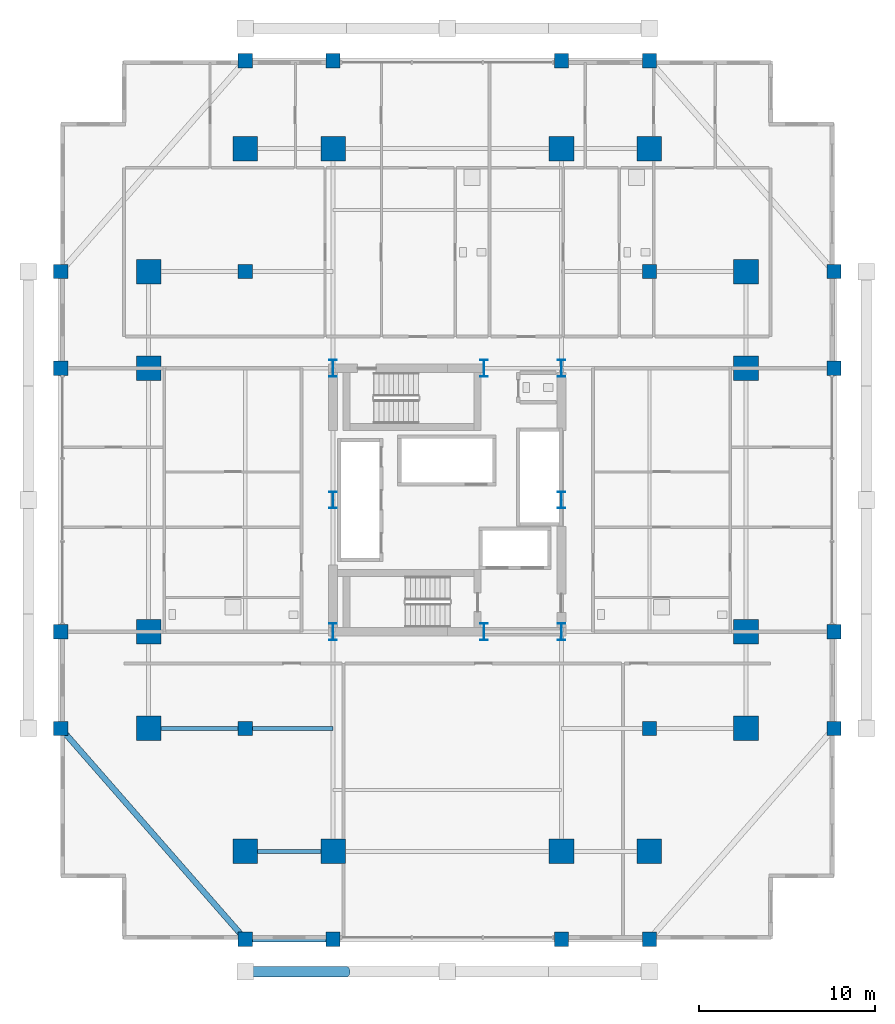
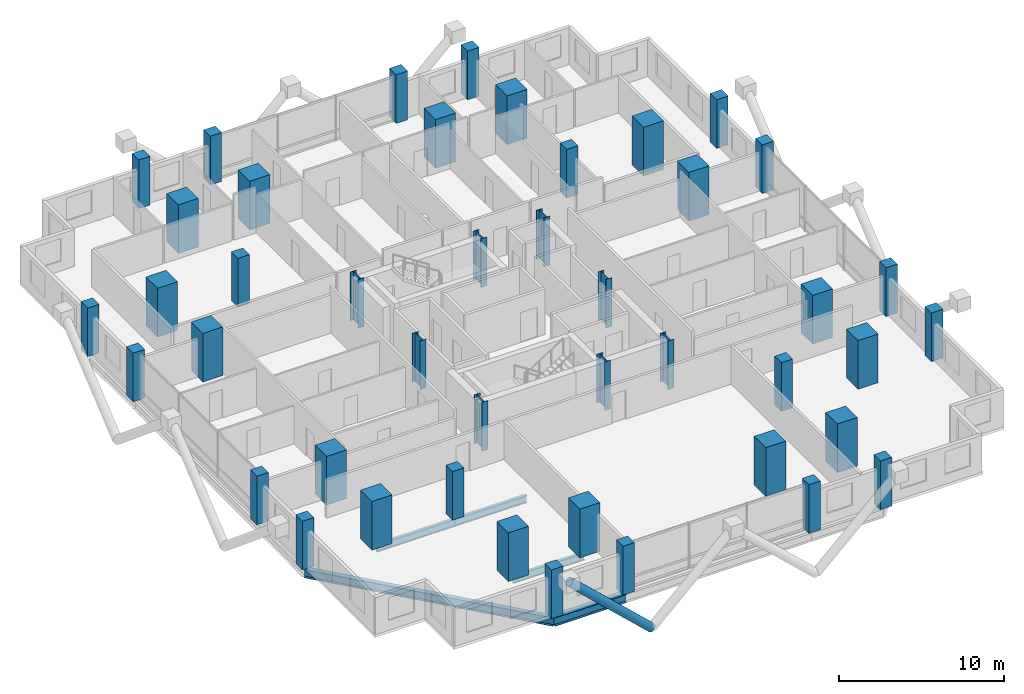
# One storey, part 1 of 23: 44 columns, 5 beams, 1 member.
"""IFC4 building model written with IfcOpenShell, lengths in metres."""

from ifc_helpers import new_model, si_unit, direction, frame, origin, origin_2d, place, context, subcontext, project, spatial, rectangle, hollow_circle, i_section, extrude, material, material_profile, profile_set, type_object, element, save


model = new_model("IFC4")

# Units and contexts
model_context = context("Model", 3, precision=1e-05, world=origin(), true_north=direction((0.0, 1.0)))
body_context = subcontext(model_context, "Body", "Model", "MODEL_VIEW")
ifc_project = project(units=[si_unit("LENGTHUNIT", "METRE"), si_unit("AREAUNIT", "SQUARE_METRE"), si_unit("VOLUMEUNIT", "CUBIC_METRE"), si_unit("PLANEANGLEUNIT", "RADIAN"), si_unit("MASSUNIT", "GRAM", prefix="KILO")], contexts=[model_context])

# Site, building, storey
site_placement = place(None, origin())
site = spatial("IfcSite", under=ifc_project, at=site_placement, CompositionType="ELEMENT")
building_placement = place(site_placement, origin())
building = spatial("IfcBuilding", under=site, at=building_placement, Name="Barlavira Tower and Art Museum", CompositionType="ELEMENT")
storey_placement = place(building_placement, frame((0.0, 0.0, 57.60009765625)))
storey = spatial("IfcBuildingStorey", under=building, at=storey_placement, Name="L13", CompositionType="ELEMENT", Elevation=57.60009765625)

# Columns
ifc_material_1 = material(Name="Steel S355", Category="steel")
ifc_material_profile_1 = material_profile(ifc_material_1, i_section(OverallWidth=0.419921875, OverallDepth=0.9599609375, WebThickness=0.02197265625, FlangeThickness=0.033935546875, at=origin_2d()), Name="W920x387.0")
ifc_profile_set_1 = profile_set([ifc_material_profile_1], Name="Steel S355")
column_type_1 = type_object("IfcColumnType", Name="Core Composite Column W920x387 Steel S355", PredefinedType="COLUMN", material=ifc_profile_set_1)
for number, where, z_axis, x_axis, name in (
    (1, (-6.5, -7.5, 0.0), (0.0, 0.0, 1.0), (1.0, 0.0, 0.0), "L13 Column CC-L13-C1"),
    (2, (2.080078125, -7.5, 0.0), (0.0, 0.0, 1.0), (1.0, 0.0, 0.0), "L13 Column CC-L13-C2"),
    (3, (6.5, -7.5, 0.0), (0.0, 0.0, 1.0), (1.0, 0.0, 0.0), "L13 Column CC-L13-C3"),
    (4, (-6.5, 0.0, 0.0), (0.0, 0.0, 1.0), (1.0, 0.0, 0.0), "L13 Column CC-L13-C4"),
    (5, (6.5, 0.0, 0.0), (0.0, 0.0, 1.0), (1.0, 0.0, 0.0), "L13 Column CC-L13-C5"),
    (6, (-6.5, 7.5, 0.0), (0.0, 0.0, 1.0), (1.0, 0.0, 0.0), "L13 Column CC-L13-C6"),
    (7, (2.080078125, 7.5, 0.0), (0.0, 0.0, 1.0), (1.0, 0.0, 0.0), "L13 Column CC-L13-C7"),
    (8, (6.5, 7.5, 0.0), (0.0, 0.0, 1.0), (1.0, 0.0, 0.0), "L13 Column CC-L13-C8"),
):
    element("IfcColumn", number, at=place(storey_placement, frame(where, z_axis=z_axis, x_axis=x_axis)), inside=storey, type_object=column_type_1, Name=name, PredefinedType="COLUMN", context=body_context, shape_type="SweptSolid", body=[
        extrude(i_section(OverallWidth=0.419921875, OverallDepth=0.9599609375, WebThickness=0.02197265625, FlangeThickness=0.033935546875, at=origin_2d()), origin(), (0.0, 0.0, 1.0), 3.599853515625),
    ])
ifc_material_2 = material(Name="Concrete C60", Category="concrete")
ifc_material_profile_2 = material_profile(ifc_material_2, rectangle(XDim=1.39990234375, YDim=1.39990234375, at=origin_2d()), Name="RC-MCOL 1400x1400")
ifc_profile_set_2 = profile_set([ifc_material_profile_2], Name="Concrete C60")
column_type_2 = type_object("IfcColumnType", Name="Perimeter Mega Column 1400x1400 Concrete C60", PredefinedType="USERDEFINED", material=ifc_profile_set_2)
for number, where, z_axis, x_axis, name in (
    (9, (-11.5, -20.0, 0.0), (0.0, 0.0, 1.0), (1.0, 0.0, 0.0), "L13 Column MC-L13-M01"),
    (10, (-6.5, -20.0, 0.0), (0.0, 0.0, 1.0), (1.0, 0.0, 0.0), "L13 Column MC-L13-M02"),
    (11, (6.5, -20.0, 0.0), (0.0, 0.0, 1.0), (1.0, 0.0, 0.0), "L13 Column MC-L13-M03"),
    (12, (11.5, -20.0, 0.0), (0.0, 0.0, 1.0), (1.0, 0.0, 0.0), "L13 Column MC-L13-M04"),
    (13, (17.0, -13.0, 0.0), (0.0, 0.0, 1.0), (1.0, 0.0, 0.0), "L13 Column MC-L13-M05"),
    (14, (17.0, -7.5, 0.0), (0.0, 0.0, 1.0), (1.0, 0.0, 0.0), "L13 Column MC-L13-M06"),
    (15, (17.0, 7.5, 0.0), (0.0, 0.0, 1.0), (1.0, 0.0, 0.0), "L13 Column MC-L13-M07"),
    (16, (17.0, 13.0, 0.0), (0.0, 0.0, 1.0), (1.0, 0.0, 0.0), "L13 Column MC-L13-M08"),
    (17, (11.5, 20.0, 0.0), (0.0, 0.0, 1.0), (1.0, 0.0, 0.0), "L13 Column MC-L13-M09"),
    (18, (6.5, 20.0, 0.0), (0.0, 0.0, 1.0), (1.0, 0.0, 0.0), "L13 Column MC-L13-M10"),
    (19, (-6.5, 20.0, 0.0), (0.0, 0.0, 1.0), (1.0, 0.0, 0.0), "L13 Column MC-L13-M11"),
    (20, (-11.5, 20.0, 0.0), (0.0, 0.0, 1.0), (1.0, 0.0, 0.0), "L13 Column MC-L13-M12"),
    (21, (-17.0, 13.0, 0.0), (0.0, 0.0, 1.0), (1.0, 0.0, 0.0), "L13 Column MC-L13-M13"),
    (22, (-17.0, 7.5, 0.0), (0.0, 0.0, 1.0), (1.0, 0.0, 0.0), "L13 Column MC-L13-M14"),
    (23, (-17.0, -7.5, 0.0), (0.0, 0.0, 1.0), (1.0, 0.0, 0.0), "L13 Column MC-L13-M15"),
    (24, (-17.0, -13.0, 0.0), (0.0, 0.0, 1.0), (1.0, 0.0, 0.0), "L13 Column MC-L13-M16"),
):
    element("IfcColumn", number, at=place(storey_placement, frame(where, z_axis=z_axis, x_axis=x_axis)), inside=storey, type_object=column_type_2, Name=name, ObjectType="MEGA COLUMN", PredefinedType="USERDEFINED", context=body_context, shape_type="SweptSolid", body=[
        extrude(rectangle(XDim=1.39990234375, YDim=1.39990234375, at=origin_2d()), origin(), (0.0, 0.0, 1.0), 3.599853515625),
    ])
ifc_material_3 = material(Name="Concrete C50", Category="concrete")
ifc_material_profile_3 = material_profile(ifc_material_3, rectangle(XDim=0.800048828125, YDim=0.800048828125, at=origin_2d()), Name="RC-COL 800x800")
ifc_profile_set_3 = profile_set([ifc_material_profile_3], Name="Concrete C50")
column_type_3 = type_object("IfcColumnType", Name="Podium Frame Column 800x800 Concrete C50", PredefinedType="COLUMN", material=ifc_profile_set_3)
for number, where, z_axis, x_axis, name in (
    (25, (-11.5, -13.0, 0.0), (0.0, 0.0, 1.0), (1.0, 0.0, 0.0), "L13 Column CI-L13-I1"),
    (26, (11.5, -13.0, 0.0), (0.0, 0.0, 1.0), (1.0, 0.0, 0.0), "L13 Column CI-L13-I2"),
    (27, (-11.5, 13.0, 0.0), (0.0, 0.0, 1.0), (1.0, 0.0, 0.0), "L13 Column CI-L13-I3"),
    (28, (11.5, 13.0, 0.0), (0.0, 0.0, 1.0), (1.0, 0.0, 0.0), "L13 Column CI-L13-I4"),
    (29, (-11.5, -25.0, 0.0), (0.0, 0.0, 1.0), (1.0, 0.0, 0.0), "L13 Column CZ1-L13-N01"),
    (30, (-6.5, -25.0, 0.0), (0.0, 0.0, 1.0), (1.0, 0.0, 0.0), "L13 Column CZ1-L13-N02"),
    (31, (6.5, -25.0, 0.0), (0.0, 0.0, 1.0), (1.0, 0.0, 0.0), "L13 Column CZ1-L13-N02B"),
    (32, (11.5, -25.0, 0.0), (0.0, 0.0, 1.0), (1.0, 0.0, 0.0), "L13 Column CZ1-L13-N03"),
    (33, (-22.0, -13.0, 0.0), (0.0, 0.0, 1.0), (1.0, 0.0, 0.0), "L13 Column CZ1-L13-N04"),
    (34, (-22.0, -7.5, 0.0), (0.0, 0.0, 1.0), (1.0, 0.0, 0.0), "L13 Column CZ1-L13-N05"),
    (35, (-22.0, 7.5, 0.0), (0.0, 0.0, 1.0), (1.0, 0.0, 0.0), "L13 Column CZ1-L13-N05B"),
    (36, (-22.0, 13.0, 0.0), (0.0, 0.0, 1.0), (1.0, 0.0, 0.0), "L13 Column CZ1-L13-N06"),
    (37, (-11.5, 25.0, 0.0), (0.0, 0.0, 1.0), (1.0, 0.0, 0.0), "L13 Column CZ1-L13-N07"),
    (38, (-6.5, 25.0, 0.0), (0.0, 0.0, 1.0), (1.0, 0.0, 0.0), "L13 Column CZ1-L13-N08"),
    (39, (6.5, 25.0, 0.0), (0.0, 0.0, 1.0), (1.0, 0.0, 0.0), "L13 Column CZ1-L13-N08B"),
    (40, (11.5, 25.0, 0.0), (0.0, 0.0, 1.0), (1.0, 0.0, 0.0), "L13 Column CZ1-L13-N09"),
    (41, (22.0, -13.0, 0.0), (0.0, 0.0, 1.0), (1.0, 0.0, 0.0), "L13 Column CZ1-L13-N10"),
    (42, (22.0, -7.5, 0.0), (0.0, 0.0, 1.0), (1.0, 0.0, 0.0), "L13 Column CZ1-L13-N11"),
    (43, (22.0, 7.5, 0.0), (0.0, 0.0, 1.0), (1.0, 0.0, 0.0), "L13 Column CZ1-L13-N11B"),
    (44, (22.0, 13.0, 0.0), (0.0, 0.0, 1.0), (1.0, 0.0, 0.0), "L13 Column CZ1-L13-N12"),
):
    element("IfcColumn", number, at=place(storey_placement, frame(where, z_axis=z_axis, x_axis=x_axis)), inside=storey, type_object=column_type_3, Name=name, PredefinedType="COLUMN", context=body_context, shape_type="SweptSolid", body=[
        extrude(rectangle(XDim=0.800048828125, YDim=0.800048828125, at=origin_2d()), origin(), (0.0, 0.0, 1.0), 3.599853515625),
    ])

# Member
ifc_material_profile_4 = material_profile(ifc_material_1, hollow_circle(Radius=0.304931640625, WallThickness=0.028076171875, at=origin_2d()), Name="CHS 610.0x28.0")
ifc_profile_set_4 = profile_set([ifc_material_profile_4], Name="Steel S355")
member_type = type_object("IfcMemberType", Name="Pale-Metal Exoskeleton Diagrid Tube CHS 610x28 Steel S355", PredefinedType="BRACE", material=ifc_profile_set_4)
member_placement = place(storey_placement, frame((-5.75, -26.85009765625, -1.920166015625), z_axis=(-0.728934650808, 0.0, 0.684583285548), x_axis=(0.0, -1.0, 0.0)))
element("IfcMember", 45, at=member_placement, inside=storey, type_object=member_type, Name="L13 Exoskeleton Diagrid Tube S", PredefinedType="BRACE", context=body_context, shape_type="SweptSolid", body=[
    extrude(hollow_circle(Radius=0.304931640625, WallThickness=0.028076171875, at=origin_2d()), origin(), (0.0, 0.0, 1.0), 7.88818359375),
])

# Beams
ifc_material_profile_5 = material_profile(ifc_material_1, i_section(OverallWidth=0.327880859375, OverallDepth=0.62890625, WebThickness=0.013916015625, FlangeThickness=0.021484375, at=origin_2d()), Name="W610x174.0")
ifc_profile_set_5 = profile_set([ifc_material_profile_5], Name="Steel S355")
beam_type_1 = type_object("IfcBeamType", Name="Perimeter Spandrel Edge Beam W610x174 Steel S355", PredefinedType="SPANDREL", material=ifc_profile_set_5)
beam_1_placement = place(storey_placement, frame((-11.5, -25.0, -0.53466796875), z_axis=(1.0, 0.0, 0.0), x_axis=(0.0, 1.0, 0.0)))
element("IfcBeam", 46, at=beam_1_placement, inside=storey, type_object=beam_type_1, Name="L13 Spandrel 1", PredefinedType="SPANDREL", context=body_context, shape_type="SweptSolid", body=[
    extrude(i_section(OverallWidth=0.327880859375, OverallDepth=0.62890625, WebThickness=0.013916015625, FlangeThickness=0.021484375, at=origin_2d()), origin(), (0.0, 0.0, 1.0), 5.0),
])
beam_2_placement = place(storey_placement, frame((-22.0, -13.0, -0.53466796875), z_axis=(0.658504607869, -0.752576694707, 0.0), x_axis=(0.752576694707, 0.658504607869, 0.0)))
element("IfcBeam", 47, at=beam_2_placement, inside=storey, type_object=beam_type_1, Name="L13 Spandrel 16", PredefinedType="SPANDREL", context=body_context, shape_type="SweptSolid", body=[
    extrude(i_section(OverallWidth=0.327880859375, OverallDepth=0.62890625, WebThickness=0.013916015625, FlangeThickness=0.021484375, at=origin_2d()), origin(), (0.0, 0.0, 1.0), 15.9453125),
])
ifc_material_profile_6 = material_profile(ifc_material_1, i_section(OverallWidth=0.214111328125, OverallDepth=0.549072265625, WebThickness=0.0146484375, FlangeThickness=0.023681640625, at=origin_2d()), Name="W530x138.0")
ifc_profile_set_6 = profile_set([ifc_material_profile_6], Name="Steel S355")
beam_type_2 = type_object("IfcBeamType", Name="Zone 1 Primary Floor Girder W530x138 Steel S355", PredefinedType="BEAM", material=ifc_profile_set_6)
beam_3_placement = place(storey_placement, frame((-11.5, -20.0, -0.49462890625), z_axis=(1.0, 0.0, 0.0), x_axis=(0.0, 1.0, 0.0)))
element("IfcBeam", 48, at=beam_3_placement, inside=storey, type_object=beam_type_2, Name="L13 Girder M-S1", PredefinedType="BEAM", context=body_context, shape_type="SweptSolid", body=[
    extrude(i_section(OverallWidth=0.214111328125, OverallDepth=0.549072265625, WebThickness=0.0146484375, FlangeThickness=0.023681640625, at=origin_2d()), origin(), (0.0, 0.0, 1.0), 5.0),
])
beam_4_placement = place(storey_placement, frame((-17.0, -13.0, -0.49462890625), z_axis=(1.0, 0.0, 0.0), x_axis=(0.0, 1.0, 0.0)))
element("IfcBeam", 49, at=beam_4_placement, inside=storey, type_object=beam_type_2, Name="L13 Girder I-S1", PredefinedType="BEAM", context=body_context, shape_type="SweptSolid", body=[
    extrude(i_section(OverallWidth=0.214111328125, OverallDepth=0.549072265625, WebThickness=0.0146484375, FlangeThickness=0.023681640625, at=origin_2d()), origin(), (0.0, 0.0, 1.0), 5.5),
])
beam_5_placement = place(storey_placement, frame((-11.5, -13.0, -0.49462890625), z_axis=(1.0, 0.0, 0.0), x_axis=(0.0, 1.0, 0.0)))
element("IfcBeam", 50, at=beam_5_placement, inside=storey, type_object=beam_type_2, Name="L13 Girder I-S2", PredefinedType="BEAM", context=body_context, shape_type="SweptSolid", body=[
    extrude(i_section(OverallWidth=0.214111328125, OverallDepth=0.549072265625, WebThickness=0.0146484375, FlangeThickness=0.023681640625, at=origin_2d()), origin(), (0.0, 0.0, 1.0), 5.0),
])

save(model, "model.ifc")
